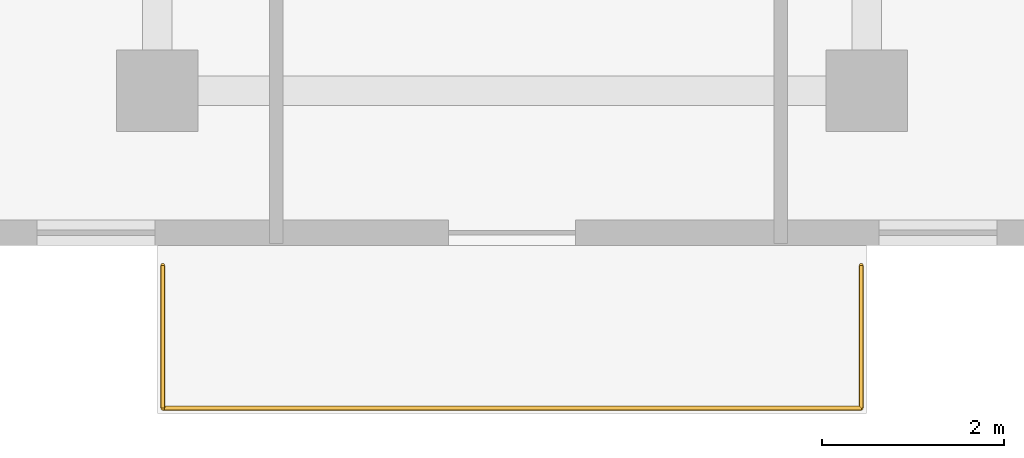
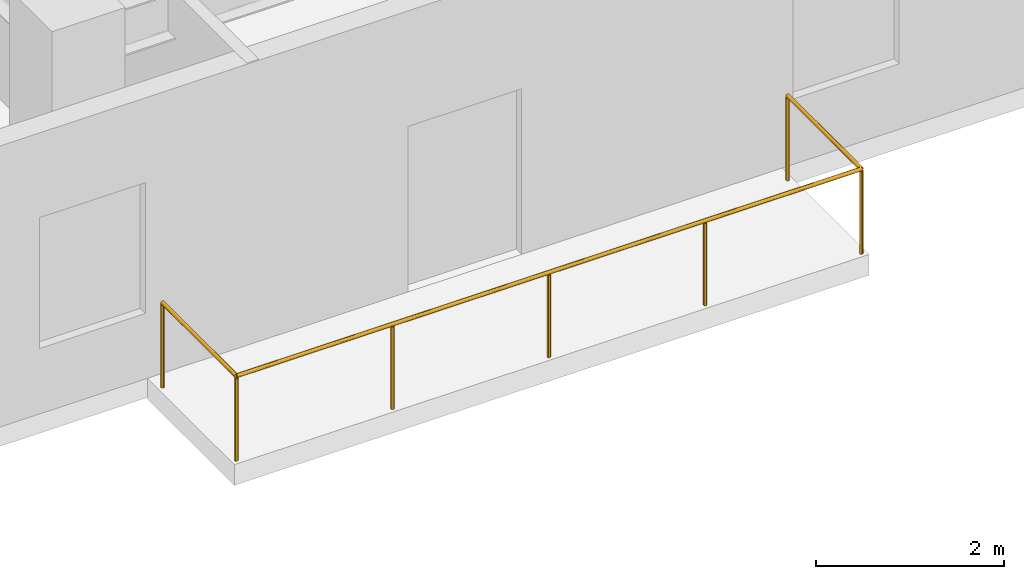
# One storey, part 10 of 11: 2 railings.
"""IFC4 building model written with IfcOpenShell, lengths in metres."""

from ifc_helpers import new_model, si_unit, direction, frame, origin, origin_2d, place, context, subcontext, project, spatial, circle, extrude, material, type_object, element, save


model = new_model("IFC4")

# Units and contexts
model_context = context("Model", 3, precision=1e-05, world=origin(), true_north=direction((0.0, 1.0)))
body_context = subcontext(model_context, "Body", "Model", "MODEL_VIEW")
ifc_project = project(units=[si_unit("LENGTHUNIT", "METRE"), si_unit("AREAUNIT", "SQUARE_METRE"), si_unit("VOLUMEUNIT", "CUBIC_METRE"), si_unit("PLANEANGLEUNIT", "RADIAN"), si_unit("MASSUNIT", "GRAM", prefix="KILO")], contexts=[model_context])

# Site, building, storey
site_placement = place(None, origin())
site = spatial("IfcSite", under=ifc_project, at=site_placement, CompositionType="ELEMENT")
building_placement = place(site_placement, origin())
building = spatial("IfcBuilding", under=site, at=building_placement, Name="Kestravale Grand Hotel", CompositionType="ELEMENT")
storey_placement = place(building_placement, frame((0.0, 0.0, 208.5)))
storey = spatial("IfcBuildingStorey", under=building, at=storey_placement, Name="L52", CompositionType="ELEMENT", Elevation=208.5)

# Railings
ifc_material = material(Name="Champagne-bronze stainless steel and laminated glass guard", Category="steel")
railing_type = type_object("IfcRailingType", Name="RL-EXT-1100", PredefinedType="GUARDRAIL", material=ifc_material)
railing_1_placement = place(storey_placement, frame((23.4599609375, 3.7099609375, 0.0)))
element("IfcRailing", 1, at=railing_1_placement, inside=storey, type_object=railing_type, Name="L52 outdoor terrace guard 1", PredefinedType="GUARDRAIL", context=body_context, shape_type="SweptSolid", body=[
    extrude(circle(Radius=0.02392578125, at=origin_2d()), frame((0.0, 0.0, 1.09619140625), z_axis=(0.0, 1.0, 0.0), x_axis=(-1.0, 0.0, 0.0)), (0.0, 0.0, 1.0), 1.570068359375),
    extrude(circle(Radius=0.02099609375, at=origin_2d()), origin(), (0.0, 0.0, 1.0), 1.072021484375),
    extrude(circle(Radius=0.02099609375, at=origin_2d()), frame((0.0, 1.570068359375, 0.0)), (0.0, 0.0, 1.0), 1.072021484375),
])
railing_2_placement = place(storey_placement, frame((31.139892578125, 5.280029296875, 0.0)))
element("IfcRailing", 2, at=railing_2_placement, inside=storey, type_object=railing_type, Name="L52 outdoor terrace guard 2", PredefinedType="GUARDRAIL", context=body_context, shape_type="SweptSolid", body=[
    extrude(circle(Radius=0.02392578125, at=origin_2d()), frame((0.0, 0.0, 1.09619140625), z_axis=(0.0, -1.0, 0.0), x_axis=(1.0, 0.0, 0.0)), (0.0, 0.0, 1.0), 1.570068359375),
    extrude(circle(Radius=0.02392578125, at=origin_2d()), frame((0.0, -1.570068359375, 1.09619140625), z_axis=(-1.0, 0.0, 0.0), x_axis=(0.0, -1.0, 0.0)), (0.0, 0.0, 1.0), 7.679931640625),
    extrude(circle(Radius=0.02099609375, at=origin_2d()), origin(), (0.0, 0.0, 1.0), 1.072021484375),
    extrude(circle(Radius=0.02099609375, at=origin_2d()), frame((0.0, -1.570068359375, 0.0)), (0.0, 0.0, 1.0), 1.072021484375),
    extrude(circle(Radius=0.02099609375, at=origin_2d()), frame((-1.919921875, -1.570068359375, 0.0)), (0.0, 0.0, 1.0), 1.072021484375),
    extrude(circle(Radius=0.02099609375, at=origin_2d()), frame((-3.83984375, -1.570068359375, 0.0)), (0.0, 0.0, 1.0), 1.072021484375),
    extrude(circle(Radius=0.02099609375, at=origin_2d()), frame((-5.760009765625, -1.570068359375, 0.0)), (0.0, 0.0, 1.0), 1.072021484375),
    extrude(circle(Radius=0.02099609375, at=origin_2d()), frame((-7.679931640625, -1.570068359375, 0.0)), (0.0, 0.0, 1.0), 1.072021484375),
])

save(model, "model.ifc")
